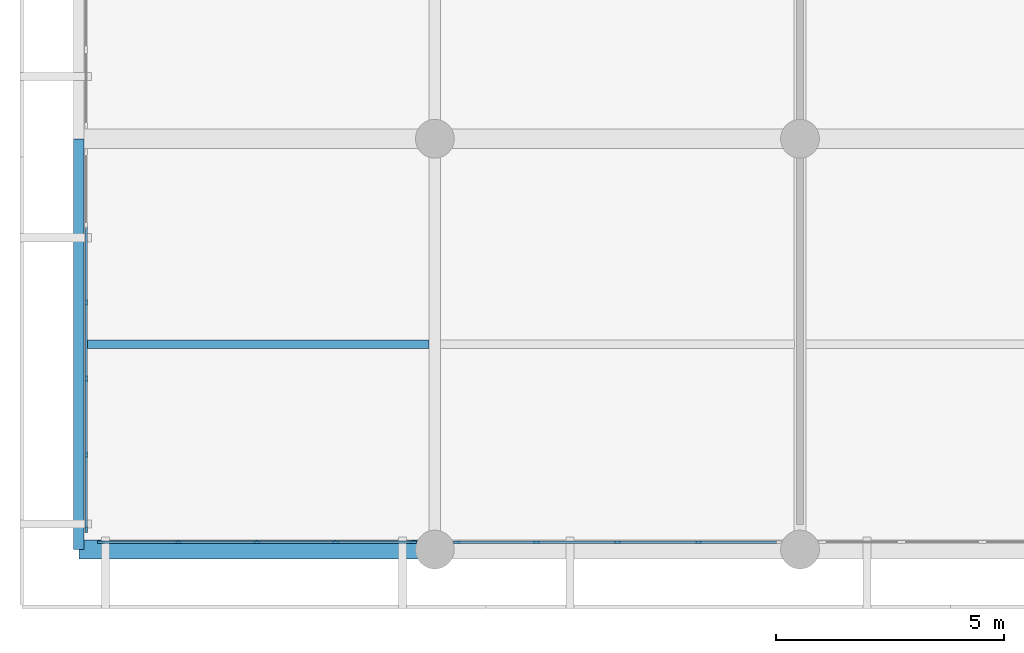
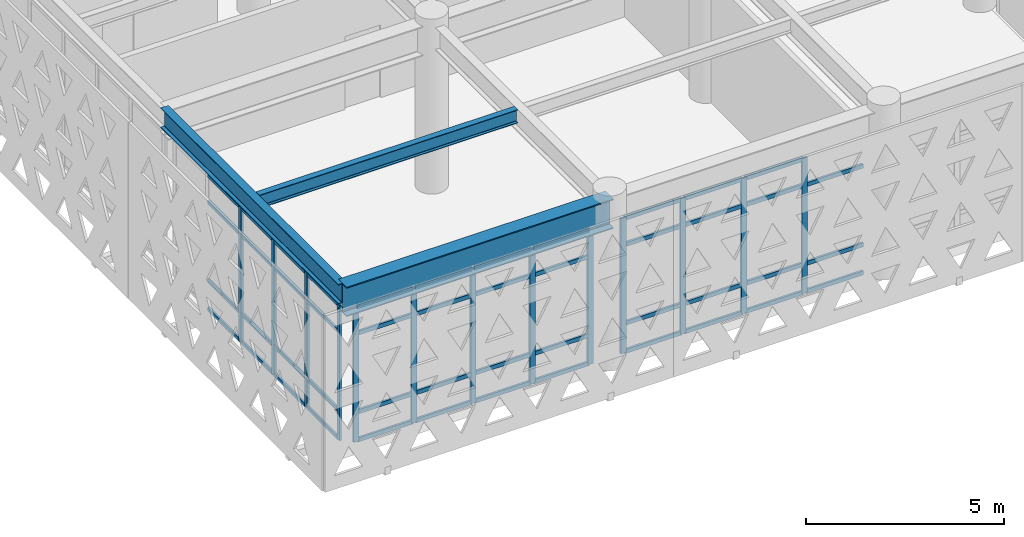
# One storey, part 9 of 84: 60 members, 3 beams, 3 elements without a shape of their own.
"""IFC4 building model written with IfcOpenShell, lengths in metres."""

from ifc_helpers import new_model, si_unit, direction, frame, origin, origin_2d, place, context, subcontext, project, spatial, rectangle, i_section, extrude, material, layer, layer_set, material_profile, profile_set, type_object, element, aggregate, save


model = new_model("IFC4")

# Units and contexts
model_context = context("Model", 3, precision=1e-05, world=origin(), true_north=direction((0.0, 1.0)))
body_context = subcontext(model_context, "Body", "Model", "MODEL_VIEW")
ifc_project = project(units=[si_unit("LENGTHUNIT", "METRE"), si_unit("AREAUNIT", "SQUARE_METRE"), si_unit("VOLUMEUNIT", "CUBIC_METRE"), si_unit("PLANEANGLEUNIT", "RADIAN"), si_unit("MASSUNIT", "GRAM", prefix="KILO")], contexts=[model_context])

# Site, building, storey
site_placement = place(None, origin())
site = spatial("IfcSite", under=ifc_project, at=site_placement, CompositionType="ELEMENT")
building_placement = place(site_placement, origin())
building = spatial("IfcBuilding", under=site, at=building_placement, Name="Tlacozan Convention Centre", CompositionType="ELEMENT")
storey_placement = place(building_placement, frame((0.0, 0.0, 6.0)))
storey = spatial("IfcBuildingStorey", under=building, at=storey_placement, Name="L01", CompositionType="ELEMENT", Elevation=6.0)

# Beam
ifc_material_1 = material(Name="Steel ASTM A992 Grade 50", Category="steel")
ifc_material_profile_1 = material_profile(ifc_material_1, i_section(OverallWidth=0.41796875, OverallDepth=0.912109375, WebThickness=0.019287109375, FlangeThickness=0.031982421875, FilletRadius=0.02001953125, at=origin_2d()), Name="IR 914x342.0")
ifc_profile_set_1 = profile_set([ifc_material_profile_1], Name="Steel ASTM A992 Grade 50")
beam_type_1 = type_object("IfcBeamType", Name="Cantilever Girder IR 914x342", PredefinedType="BEAM", material=ifc_profile_set_1)
beam_1_placement = place(storey_placement, frame((8.0, 0.0, 4.68408203125), z_axis=(-1.0, 0.0, 0.0), x_axis=(0.0, -1.0, 0.0)))
element("IfcBeam", 1, at=beam_1_placement, inside=storey, type_object=beam_type_1, Name="L01 Cantilever Girder IR 914x342 312", PredefinedType="BEAM", context=body_context, shape_type="SweptSolid", body=[
    extrude(i_section(OverallWidth=0.41796875, OverallDepth=0.912109375, WebThickness=0.019287109375, FlangeThickness=0.031982421875, FilletRadius=0.02001953125, at=origin_2d()), origin(), (0.0, 0.0, 1.0), 7.800048828125),
])

# Curtain wall, members
ifc_material_2 = material(Name="Dark Bronze Anodised Aluminium", Category="aluminium")
ifc_layer_1 = layer(ifc_material_2, 0.159912109375)
ifc_layer_set_1 = layer_set([ifc_layer_1], Name="Dark Bronze Anodised Aluminium")
curtain_wall_type_1 = type_object("IfcCurtainWallType", Name="Unitised Congress Gable End CW06", PredefinedType="NOTDEFINED", material=ifc_layer_set_1)
curtain_wall_1_placement = place(storey_placement, origin())
curtain_wall_1 = element("IfcCurtainWall", 2, at=curtain_wall_1_placement, inside=storey, type_object=curtain_wall_type_1, Name="L01 CW-06 Run 72", PredefinedType="NOTDEFINED")
ifc_material_profile_2 = material_profile(ifc_material_2, rectangle(XDim=0.06005859375, YDim=0.139892578125, at=origin_2d()), Name="ALU 60x140")
ifc_profile_set_2 = profile_set([ifc_material_profile_2], Name="Dark Bronze Anodised Aluminium")
member_type_1 = type_object("IfcMemberType", Name="Curtain Wall Light Mullion 60x140", PredefinedType="MULLION", material=ifc_profile_set_2)
member_1_placement = place(storey_placement, frame((0.360107421875, 0.43994140625, 0.0), z_axis=(0.0, 0.0, 1.0), x_axis=(-1.0, 0.0, 0.0)))
member_1 = element("IfcMember", 3, at=member_1_placement, type_object=member_type_1, Name="CW-06 mullion 1", PredefinedType="MULLION", context=body_context, shape_type="SweptSolid", body=[
    extrude(rectangle(XDim=0.06005859375, YDim=0.139892578125, at=origin_2d()), origin(), (0.0, 0.0, 1.0), 4.179931640625),
])
member_2_placement = place(storey_placement, frame((0.360107421875, 2.077880859375, 0.0), z_axis=(0.0, 0.0, 1.0), x_axis=(-1.0, 0.0, 0.0)))
member_2 = element("IfcMember", 4, at=member_2_placement, type_object=member_type_1, Name="CW-06 mullion 2", PredefinedType="MULLION", context=body_context, shape_type="SweptSolid", body=[
    extrude(rectangle(XDim=0.06005859375, YDim=0.139892578125, at=origin_2d()), origin(), (0.0, 0.0, 1.0), 4.179931640625),
])
member_3_placement = place(storey_placement, frame((0.360107421875, 3.74609375, 0.0), z_axis=(0.0, 0.0, 1.0), x_axis=(-1.0, 0.0, 0.0)))
member_3 = element("IfcMember", 5, at=member_3_placement, type_object=member_type_1, Name="CW-06 mullion 3", PredefinedType="MULLION", context=body_context, shape_type="SweptSolid", body=[
    extrude(rectangle(XDim=0.06005859375, YDim=0.139892578125, at=origin_2d()), origin(), (0.0, 0.0, 1.0), 4.179931640625),
])
member_4_placement = place(storey_placement, frame((0.360107421875, 5.4140625, 0.0), z_axis=(0.0, 0.0, 1.0), x_axis=(-1.0, 0.0, 0.0)))
member_4 = element("IfcMember", 6, at=member_4_placement, type_object=member_type_1, Name="CW-06 mullion 4", PredefinedType="MULLION", context=body_context, shape_type="SweptSolid", body=[
    extrude(rectangle(XDim=0.06005859375, YDim=0.139892578125, at=origin_2d()), origin(), (0.0, 0.0, 1.0), 4.179931640625),
])
ifc_material_profile_3 = material_profile(ifc_material_2, rectangle(XDim=0.06005859375, YDim=0.110107421875, at=origin_2d()), Name="ALU 60x110")
ifc_profile_set_3 = profile_set([ifc_material_profile_3], Name="Dark Bronze Anodised Aluminium")
member_type_2 = type_object("IfcMemberType", Name="Curtain Wall Light Transom 60x110", PredefinedType="USERDEFINED", material=ifc_profile_set_3)
member_5_placement = place(storey_placement, frame((0.360107421875, 0.469970703125, 0.030029296875), z_axis=(0.0, 1.0, 0.0), x_axis=(-1.0, 0.0, 0.0)))
member_5 = element("IfcMember", 7, at=member_5_placement, type_object=member_type_2, Name="CW-06 transom 1.1", ObjectType="TRANSOM", PredefinedType="USERDEFINED", context=body_context, shape_type="SweptSolid", body=[
    extrude(rectangle(XDim=0.06005859375, YDim=0.110107421875, at=origin_2d()), origin(), (0.0, 0.0, 1.0), 1.578125),
])
member_6_placement = place(storey_placement, frame((0.360107421875, 0.469970703125, 0.89990234375), z_axis=(0.0, 1.0, 0.0), x_axis=(-1.0, 0.0, 0.0)))
member_6 = element("IfcMember", 8, at=member_6_placement, type_object=member_type_2, Name="CW-06 transom 1.2", ObjectType="TRANSOM", PredefinedType="USERDEFINED", context=body_context, shape_type="SweptSolid", body=[
    extrude(rectangle(XDim=0.06005859375, YDim=0.110107421875, at=origin_2d()), origin(), (0.0, 0.0, 1.0), 1.578125),
])
member_7_placement = place(storey_placement, frame((0.360107421875, 0.469970703125, 3.330078125), z_axis=(0.0, 1.0, 0.0), x_axis=(-1.0, 0.0, 0.0)))
member_7 = element("IfcMember", 9, at=member_7_placement, type_object=member_type_2, Name="CW-06 transom 1.3", ObjectType="TRANSOM", PredefinedType="USERDEFINED", context=body_context, shape_type="SweptSolid", body=[
    extrude(rectangle(XDim=0.06005859375, YDim=0.110107421875, at=origin_2d()), origin(), (0.0, 0.0, 1.0), 1.578125),
])
member_8_placement = place(storey_placement, frame((0.360107421875, 0.469970703125, 4.14990234375), z_axis=(0.0, 1.0, 0.0), x_axis=(-1.0, 0.0, 0.0)))
member_8 = element("IfcMember", 10, at=member_8_placement, type_object=member_type_2, Name="CW-06 transom 1.4", ObjectType="TRANSOM", PredefinedType="USERDEFINED", context=body_context, shape_type="SweptSolid", body=[
    extrude(rectangle(XDim=0.06005859375, YDim=0.110107421875, at=origin_2d()), origin(), (0.0, 0.0, 1.0), 1.578125),
])
member_9_placement = place(storey_placement, frame((0.360107421875, 2.10791015625, 0.030029296875), z_axis=(0.0, 1.0, 0.0), x_axis=(-1.0, 0.0, 0.0)))
member_9 = element("IfcMember", 11, at=member_9_placement, type_object=member_type_2, Name="CW-06 transom 2.1", ObjectType="TRANSOM", PredefinedType="USERDEFINED", context=body_context, shape_type="SweptSolid", body=[
    extrude(rectangle(XDim=0.06005859375, YDim=0.110107421875, at=origin_2d()), origin(), (0.0, 0.0, 1.0), 1.608154296875),
])
member_10_placement = place(storey_placement, frame((0.360107421875, 2.10791015625, 0.89990234375), z_axis=(0.0, 1.0, 0.0), x_axis=(-1.0, 0.0, 0.0)))
member_10 = element("IfcMember", 12, at=member_10_placement, type_object=member_type_2, Name="CW-06 transom 2.2", ObjectType="TRANSOM", PredefinedType="USERDEFINED", context=body_context, shape_type="SweptSolid", body=[
    extrude(rectangle(XDim=0.06005859375, YDim=0.110107421875, at=origin_2d()), origin(), (0.0, 0.0, 1.0), 1.608154296875),
])
member_11_placement = place(storey_placement, frame((0.360107421875, 2.10791015625, 3.330078125), z_axis=(0.0, 1.0, 0.0), x_axis=(-1.0, 0.0, 0.0)))
member_11 = element("IfcMember", 13, at=member_11_placement, type_object=member_type_2, Name="CW-06 transom 2.3", ObjectType="TRANSOM", PredefinedType="USERDEFINED", context=body_context, shape_type="SweptSolid", body=[
    extrude(rectangle(XDim=0.06005859375, YDim=0.110107421875, at=origin_2d()), origin(), (0.0, 0.0, 1.0), 1.608154296875),
])
member_12_placement = place(storey_placement, frame((0.360107421875, 2.10791015625, 4.14990234375), z_axis=(0.0, 1.0, 0.0), x_axis=(-1.0, 0.0, 0.0)))
member_12 = element("IfcMember", 14, at=member_12_placement, type_object=member_type_2, Name="CW-06 transom 2.4", ObjectType="TRANSOM", PredefinedType="USERDEFINED", context=body_context, shape_type="SweptSolid", body=[
    extrude(rectangle(XDim=0.06005859375, YDim=0.110107421875, at=origin_2d()), origin(), (0.0, 0.0, 1.0), 1.608154296875),
])
member_13_placement = place(storey_placement, frame((0.360107421875, 3.77587890625, 0.030029296875), z_axis=(0.0, 1.0, 0.0), x_axis=(-1.0, 0.0, 0.0)))
member_13 = element("IfcMember", 15, at=member_13_placement, type_object=member_type_2, Name="CW-06 transom 3.1", ObjectType="TRANSOM", PredefinedType="USERDEFINED", context=body_context, shape_type="SweptSolid", body=[
    extrude(rectangle(XDim=0.06005859375, YDim=0.110107421875, at=origin_2d()), origin(), (0.0, 0.0, 1.0), 1.608154296875),
])
member_14_placement = place(storey_placement, frame((0.360107421875, 3.77587890625, 0.89990234375), z_axis=(0.0, 1.0, 0.0), x_axis=(-1.0, 0.0, 0.0)))
member_14 = element("IfcMember", 16, at=member_14_placement, type_object=member_type_2, Name="CW-06 transom 3.2", ObjectType="TRANSOM", PredefinedType="USERDEFINED", context=body_context, shape_type="SweptSolid", body=[
    extrude(rectangle(XDim=0.06005859375, YDim=0.110107421875, at=origin_2d()), origin(), (0.0, 0.0, 1.0), 1.608154296875),
])
member_15_placement = place(storey_placement, frame((0.360107421875, 3.77587890625, 3.330078125), z_axis=(0.0, 1.0, 0.0), x_axis=(-1.0, 0.0, 0.0)))
member_15 = element("IfcMember", 17, at=member_15_placement, type_object=member_type_2, Name="CW-06 transom 3.3", ObjectType="TRANSOM", PredefinedType="USERDEFINED", context=body_context, shape_type="SweptSolid", body=[
    extrude(rectangle(XDim=0.06005859375, YDim=0.110107421875, at=origin_2d()), origin(), (0.0, 0.0, 1.0), 1.608154296875),
])
member_16_placement = place(storey_placement, frame((0.360107421875, 3.77587890625, 4.14990234375), z_axis=(0.0, 1.0, 0.0), x_axis=(-1.0, 0.0, 0.0)))
member_16 = element("IfcMember", 18, at=member_16_placement, type_object=member_type_2, Name="CW-06 transom 3.4", ObjectType="TRANSOM", PredefinedType="USERDEFINED", context=body_context, shape_type="SweptSolid", body=[
    extrude(rectangle(XDim=0.06005859375, YDim=0.110107421875, at=origin_2d()), origin(), (0.0, 0.0, 1.0), 1.608154296875),
])
member_17_placement = place(storey_placement, frame((0.360107421875, 5.444091796875, 0.030029296875), z_axis=(0.0, 1.0, 0.0), x_axis=(-1.0, 0.0, 0.0)))
member_17 = element("IfcMember", 19, at=member_17_placement, type_object=member_type_2, Name="CW-06 transom 4.1", ObjectType="TRANSOM", PredefinedType="USERDEFINED", context=body_context, shape_type="SweptSolid", body=[
    extrude(rectangle(XDim=0.06005859375, YDim=0.110107421875, at=origin_2d()), origin(), (0.0, 0.0, 1.0), 1.60791015625),
])
member_18_placement = place(storey_placement, frame((0.360107421875, 5.444091796875, 0.89990234375), z_axis=(0.0, 1.0, 0.0), x_axis=(-1.0, 0.0, 0.0)))
member_18 = element("IfcMember", 20, at=member_18_placement, type_object=member_type_2, Name="CW-06 transom 4.2", ObjectType="TRANSOM", PredefinedType="USERDEFINED", context=body_context, shape_type="SweptSolid", body=[
    extrude(rectangle(XDim=0.06005859375, YDim=0.110107421875, at=origin_2d()), origin(), (0.0, 0.0, 1.0), 1.60791015625),
])
member_19_placement = place(storey_placement, frame((0.360107421875, 5.444091796875, 3.330078125), z_axis=(0.0, 1.0, 0.0), x_axis=(-1.0, 0.0, 0.0)))
member_19 = element("IfcMember", 21, at=member_19_placement, type_object=member_type_2, Name="CW-06 transom 4.3", ObjectType="TRANSOM", PredefinedType="USERDEFINED", context=body_context, shape_type="SweptSolid", body=[
    extrude(rectangle(XDim=0.06005859375, YDim=0.110107421875, at=origin_2d()), origin(), (0.0, 0.0, 1.0), 1.60791015625),
])
member_20_placement = place(storey_placement, frame((0.360107421875, 5.444091796875, 4.14990234375), z_axis=(0.0, 1.0, 0.0), x_axis=(-1.0, 0.0, 0.0)))
member_20 = element("IfcMember", 22, at=member_20_placement, type_object=member_type_2, Name="CW-06 transom 4.4", ObjectType="TRANSOM", PredefinedType="USERDEFINED", context=body_context, shape_type="SweptSolid", body=[
    extrude(rectangle(XDim=0.06005859375, YDim=0.110107421875, at=origin_2d()), origin(), (0.0, 0.0, 1.0), 1.60791015625),
])
aggregate(curtain_wall_1, [member_1, member_2, member_3, member_4, member_5, member_6, member_7, member_8, member_9, member_10, member_11, member_12, member_13, member_14, member_15, member_16, member_17, member_18, member_19, member_20])

ifc_layer_2 = layer(ifc_material_2, 0.159912109375)
ifc_layer_set_2 = layer_set([ifc_layer_2], Name="Dark Bronze Anodised Aluminium")
curtain_wall_type_2 = type_object("IfcCurtainWallType", Name="Unitised Congress L01 South CW02", PredefinedType="NOTDEFINED", material=ifc_layer_set_2)
curtain_wall_2_placement = place(storey_placement, origin())
curtain_wall_2 = element("IfcCurtainWall", 23, at=curtain_wall_2_placement, inside=storey, type_object=curtain_wall_type_2, Name="L01 CW-02 Run 55", PredefinedType="NOTDEFINED")
ifc_material_profile_4 = material_profile(ifc_material_2, rectangle(XDim=0.06494140625, YDim=0.159912109375, at=origin_2d()), Name="ALU 65x160")
ifc_profile_set_4 = profile_set([ifc_material_profile_4], Name="Dark Bronze Anodised Aluminium")
member_type_3 = type_object("IfcMemberType", Name="Curtain Wall Mullion 65x160", PredefinedType="MULLION", material=ifc_profile_set_4)
member_21_placement = place(storey_placement, frame((0.6826171875, 0.159912109375, 0.0), z_axis=(0.0, 0.0, 1.0), x_axis=(0.0, 1.0, 0.0)))
member_21 = element("IfcMember", 24, at=member_21_placement, type_object=member_type_3, Name="CW-02 mullion 1", PredefinedType="MULLION", context=body_context, shape_type="SweptSolid", body=[
    extrude(rectangle(XDim=0.06494140625, YDim=0.159912109375, at=origin_2d()), origin(), (0.0, 0.0, 1.0), 4.179931640625),
])
member_22_placement = place(storey_placement, frame((2.375, 0.159912109375, 0.0), z_axis=(0.0, 0.0, 1.0), x_axis=(0.0, 1.0, 0.0)))
member_22 = element("IfcMember", 25, at=member_22_placement, type_object=member_type_3, Name="CW-02 mullion 2", PredefinedType="MULLION", context=body_context, shape_type="SweptSolid", body=[
    extrude(rectangle(XDim=0.06494140625, YDim=0.159912109375, at=origin_2d()), origin(), (0.0, 0.0, 1.0), 4.179931640625),
])
member_23_placement = place(storey_placement, frame((4.10009765625, 0.159912109375, 0.0), z_axis=(0.0, 0.0, 1.0), x_axis=(0.0, 1.0, 0.0)))
member_23 = element("IfcMember", 26, at=member_23_placement, type_object=member_type_3, Name="CW-02 mullion 3", PredefinedType="MULLION", context=body_context, shape_type="SweptSolid", body=[
    extrude(rectangle(XDim=0.06494140625, YDim=0.159912109375, at=origin_2d()), origin(), (0.0, 0.0, 1.0), 4.179931640625),
])
member_24_placement = place(storey_placement, frame((5.824951171875, 0.159912109375, 0.0), z_axis=(0.0, 0.0, 1.0), x_axis=(0.0, 1.0, 0.0)))
member_24 = element("IfcMember", 27, at=member_24_placement, type_object=member_type_3, Name="CW-02 mullion 4", PredefinedType="MULLION", context=body_context, shape_type="SweptSolid", body=[
    extrude(rectangle(XDim=0.06494140625, YDim=0.159912109375, at=origin_2d()), origin(), (0.0, 0.0, 1.0), 4.179931640625),
])
member_25_placement = place(storey_placement, frame((7.517578125, 0.159912109375, 0.0), z_axis=(0.0, 0.0, 1.0), x_axis=(0.0, 1.0, 0.0)))
member_25 = element("IfcMember", 28, at=member_25_placement, type_object=member_type_3, Name="CW-02 mullion 5", PredefinedType="MULLION", context=body_context, shape_type="SweptSolid", body=[
    extrude(rectangle(XDim=0.06494140625, YDim=0.159912109375, at=origin_2d()), origin(), (0.0, 0.0, 1.0), 4.179931640625),
])

curtain_wall_3_placement = place(storey_placement, origin())
curtain_wall_3 = element("IfcCurtainWall", 29, at=curtain_wall_3_placement, inside=storey, type_object=curtain_wall_type_2, Name="L01 CW-02 Run 56", PredefinedType="NOTDEFINED")
member_26_placement = place(storey_placement, frame((8.482421875, 0.159912109375, 0.0), z_axis=(0.0, 0.0, 1.0), x_axis=(0.0, 1.0, 0.0)))
member_26 = element("IfcMember", 30, at=member_26_placement, type_object=member_type_3, Name="CW-02 mullion 1", PredefinedType="MULLION", context=body_context, shape_type="SweptSolid", body=[
    extrude(rectangle(XDim=0.06494140625, YDim=0.159912109375, at=origin_2d()), origin(), (0.0, 0.0, 1.0), 4.179931640625),
])
member_27_placement = place(storey_placement, frame((10.22509765625, 0.159912109375, 0.0), z_axis=(0.0, 0.0, 1.0), x_axis=(0.0, 1.0, 0.0)))
member_27 = element("IfcMember", 31, at=member_27_placement, type_object=member_type_3, Name="CW-02 mullion 2", PredefinedType="MULLION", context=body_context, shape_type="SweptSolid", body=[
    extrude(rectangle(XDim=0.06494140625, YDim=0.159912109375, at=origin_2d()), origin(), (0.0, 0.0, 1.0), 4.179931640625),
])
member_28_placement = place(storey_placement, frame((12.0, 0.159912109375, 0.0), z_axis=(0.0, 0.0, 1.0), x_axis=(0.0, 1.0, 0.0)))
member_28 = element("IfcMember", 32, at=member_28_placement, type_object=member_type_3, Name="CW-02 mullion 3", PredefinedType="MULLION", context=body_context, shape_type="SweptSolid", body=[
    extrude(rectangle(XDim=0.06494140625, YDim=0.159912109375, at=origin_2d()), origin(), (0.0, 0.0, 1.0), 4.179931640625),
])
member_29_placement = place(storey_placement, frame((13.77490234375, 0.159912109375, 0.0), z_axis=(0.0, 0.0, 1.0), x_axis=(0.0, 1.0, 0.0)))
member_29 = element("IfcMember", 33, at=member_29_placement, type_object=member_type_3, Name="CW-02 mullion 4", PredefinedType="MULLION", context=body_context, shape_type="SweptSolid", body=[
    extrude(rectangle(XDim=0.06494140625, YDim=0.159912109375, at=origin_2d()), origin(), (0.0, 0.0, 1.0), 4.179931640625),
])

# Member
ifc_material_profile_5 = material_profile(ifc_material_2, rectangle(XDim=0.06494140625, YDim=0.125, at=origin_2d()), Name="ALU 65x125")
ifc_profile_set_5 = profile_set([ifc_material_profile_5], Name="Dark Bronze Anodised Aluminium")
member_type_4 = type_object("IfcMemberType", Name="Curtain Wall Transom 65x125", PredefinedType="USERDEFINED", material=ifc_profile_set_5)
member_30_placement = place(storey_placement, frame((0.715087890625, 0.159912109375, 0.032470703125), z_axis=(1.0, 0.0, 0.0), x_axis=(0.0, 1.0, 0.0)))
member_30 = element("IfcMember", 34, at=member_30_placement, type_object=member_type_4, Name="CW-02 transom 1.1", ObjectType="TRANSOM", PredefinedType="USERDEFINED", context=body_context, shape_type="SweptSolid", body=[
    extrude(rectangle(XDim=0.06494140625, YDim=0.125, at=origin_2d()), origin(), (0.0, 0.0, 1.0), 1.62744140625),
])

member_31_placement = place(storey_placement, frame((0.715087890625, 0.159912109375, 0.89990234375), z_axis=(1.0, 0.0, 0.0), x_axis=(0.0, 1.0, 0.0)))
member_31 = element("IfcMember", 35, at=member_31_placement, type_object=member_type_4, Name="CW-02 transom 1.2", ObjectType="TRANSOM", PredefinedType="USERDEFINED", context=body_context, shape_type="SweptSolid", body=[
    extrude(rectangle(XDim=0.06494140625, YDim=0.125, at=origin_2d()), origin(), (0.0, 0.0, 1.0), 1.62744140625),
])

member_32_placement = place(storey_placement, frame((0.715087890625, 0.159912109375, 3.330078125), z_axis=(1.0, 0.0, 0.0), x_axis=(0.0, 1.0, 0.0)))
member_32 = element("IfcMember", 36, at=member_32_placement, type_object=member_type_4, Name="CW-02 transom 1.3", ObjectType="TRANSOM", PredefinedType="USERDEFINED", context=body_context, shape_type="SweptSolid", body=[
    extrude(rectangle(XDim=0.06494140625, YDim=0.125, at=origin_2d()), origin(), (0.0, 0.0, 1.0), 1.62744140625),
])

member_33_placement = place(storey_placement, frame((0.715087890625, 0.159912109375, 4.1474609375), z_axis=(1.0, 0.0, 0.0), x_axis=(0.0, 1.0, 0.0)))
member_33 = element("IfcMember", 37, at=member_33_placement, type_object=member_type_4, Name="CW-02 transom 1.4", ObjectType="TRANSOM", PredefinedType="USERDEFINED", context=body_context, shape_type="SweptSolid", body=[
    extrude(rectangle(XDim=0.06494140625, YDim=0.125, at=origin_2d()), origin(), (0.0, 0.0, 1.0), 1.62744140625),
])

member_34_placement = place(storey_placement, frame((2.407470703125, 0.159912109375, 0.032470703125), z_axis=(1.0, 0.0, 0.0), x_axis=(0.0, 1.0, 0.0)))
member_34 = element("IfcMember", 38, at=member_34_placement, type_object=member_type_4, Name="CW-02 transom 2.1", ObjectType="TRANSOM", PredefinedType="USERDEFINED", context=body_context, shape_type="SweptSolid", body=[
    extrude(rectangle(XDim=0.06494140625, YDim=0.125, at=origin_2d()), origin(), (0.0, 0.0, 1.0), 1.659912109375),
])

member_35_placement = place(storey_placement, frame((2.407470703125, 0.159912109375, 0.89990234375), z_axis=(1.0, 0.0, 0.0), x_axis=(0.0, 1.0, 0.0)))
member_35 = element("IfcMember", 39, at=member_35_placement, type_object=member_type_4, Name="CW-02 transom 2.2", ObjectType="TRANSOM", PredefinedType="USERDEFINED", context=body_context, shape_type="SweptSolid", body=[
    extrude(rectangle(XDim=0.06494140625, YDim=0.125, at=origin_2d()), origin(), (0.0, 0.0, 1.0), 1.659912109375),
])

member_36_placement = place(storey_placement, frame((2.407470703125, 0.159912109375, 3.330078125), z_axis=(1.0, 0.0, 0.0), x_axis=(0.0, 1.0, 0.0)))
member_36 = element("IfcMember", 40, at=member_36_placement, type_object=member_type_4, Name="CW-02 transom 2.3", ObjectType="TRANSOM", PredefinedType="USERDEFINED", context=body_context, shape_type="SweptSolid", body=[
    extrude(rectangle(XDim=0.06494140625, YDim=0.125, at=origin_2d()), origin(), (0.0, 0.0, 1.0), 1.659912109375),
])

member_37_placement = place(storey_placement, frame((2.407470703125, 0.159912109375, 4.1474609375), z_axis=(1.0, 0.0, 0.0), x_axis=(0.0, 1.0, 0.0)))
member_37 = element("IfcMember", 41, at=member_37_placement, type_object=member_type_4, Name="CW-02 transom 2.4", ObjectType="TRANSOM", PredefinedType="USERDEFINED", context=body_context, shape_type="SweptSolid", body=[
    extrude(rectangle(XDim=0.06494140625, YDim=0.125, at=origin_2d()), origin(), (0.0, 0.0, 1.0), 1.659912109375),
])

member_38_placement = place(storey_placement, frame((4.132568359375, 0.159912109375, 0.032470703125), z_axis=(1.0, 0.0, 0.0), x_axis=(0.0, 1.0, 0.0)))
member_38 = element("IfcMember", 42, at=member_38_placement, type_object=member_type_4, Name="CW-02 transom 3.1", ObjectType="TRANSOM", PredefinedType="USERDEFINED", context=body_context, shape_type="SweptSolid", body=[
    extrude(rectangle(XDim=0.06494140625, YDim=0.125, at=origin_2d()), origin(), (0.0, 0.0, 1.0), 1.659912109375),
])

member_39_placement = place(storey_placement, frame((4.132568359375, 0.159912109375, 0.89990234375), z_axis=(1.0, 0.0, 0.0), x_axis=(0.0, 1.0, 0.0)))
member_39 = element("IfcMember", 43, at=member_39_placement, type_object=member_type_4, Name="CW-02 transom 3.2", ObjectType="TRANSOM", PredefinedType="USERDEFINED", context=body_context, shape_type="SweptSolid", body=[
    extrude(rectangle(XDim=0.06494140625, YDim=0.125, at=origin_2d()), origin(), (0.0, 0.0, 1.0), 1.659912109375),
])

member_40_placement = place(storey_placement, frame((4.132568359375, 0.159912109375, 3.330078125), z_axis=(1.0, 0.0, 0.0), x_axis=(0.0, 1.0, 0.0)))
member_40 = element("IfcMember", 44, at=member_40_placement, type_object=member_type_4, Name="CW-02 transom 3.3", ObjectType="TRANSOM", PredefinedType="USERDEFINED", context=body_context, shape_type="SweptSolid", body=[
    extrude(rectangle(XDim=0.06494140625, YDim=0.125, at=origin_2d()), origin(), (0.0, 0.0, 1.0), 1.659912109375),
])

member_41_placement = place(storey_placement, frame((4.132568359375, 0.159912109375, 4.1474609375), z_axis=(1.0, 0.0, 0.0), x_axis=(0.0, 1.0, 0.0)))
member_41 = element("IfcMember", 45, at=member_41_placement, type_object=member_type_4, Name="CW-02 transom 3.4", ObjectType="TRANSOM", PredefinedType="USERDEFINED", context=body_context, shape_type="SweptSolid", body=[
    extrude(rectangle(XDim=0.06494140625, YDim=0.125, at=origin_2d()), origin(), (0.0, 0.0, 1.0), 1.659912109375),
])

member_42_placement = place(storey_placement, frame((5.857421875, 0.159912109375, 0.032470703125), z_axis=(1.0, 0.0, 0.0), x_axis=(0.0, 1.0, 0.0)))
member_42 = element("IfcMember", 46, at=member_42_placement, type_object=member_type_4, Name="CW-02 transom 4.1", ObjectType="TRANSOM", PredefinedType="USERDEFINED", context=body_context, shape_type="SweptSolid", body=[
    extrude(rectangle(XDim=0.06494140625, YDim=0.125, at=origin_2d()), origin(), (0.0, 0.0, 1.0), 1.627685546875),
])

member_43_placement = place(storey_placement, frame((5.857421875, 0.159912109375, 0.89990234375), z_axis=(1.0, 0.0, 0.0), x_axis=(0.0, 1.0, 0.0)))
member_43 = element("IfcMember", 47, at=member_43_placement, type_object=member_type_4, Name="CW-02 transom 4.2", ObjectType="TRANSOM", PredefinedType="USERDEFINED", context=body_context, shape_type="SweptSolid", body=[
    extrude(rectangle(XDim=0.06494140625, YDim=0.125, at=origin_2d()), origin(), (0.0, 0.0, 1.0), 1.627685546875),
])

member_44_placement = place(storey_placement, frame((5.857421875, 0.159912109375, 3.330078125), z_axis=(1.0, 0.0, 0.0), x_axis=(0.0, 1.0, 0.0)))
member_44 = element("IfcMember", 48, at=member_44_placement, type_object=member_type_4, Name="CW-02 transom 4.3", ObjectType="TRANSOM", PredefinedType="USERDEFINED", context=body_context, shape_type="SweptSolid", body=[
    extrude(rectangle(XDim=0.06494140625, YDim=0.125, at=origin_2d()), origin(), (0.0, 0.0, 1.0), 1.627685546875),
])

member_45_placement = place(storey_placement, frame((5.857421875, 0.159912109375, 4.1474609375), z_axis=(1.0, 0.0, 0.0), x_axis=(0.0, 1.0, 0.0)))
member_45 = element("IfcMember", 49, at=member_45_placement, type_object=member_type_4, Name="CW-02 transom 4.4", ObjectType="TRANSOM", PredefinedType="USERDEFINED", context=body_context, shape_type="SweptSolid", body=[
    extrude(rectangle(XDim=0.06494140625, YDim=0.125, at=origin_2d()), origin(), (0.0, 0.0, 1.0), 1.627685546875),
])

aggregate(curtain_wall_2, [member_21, member_22, member_23, member_24, member_25, member_30, member_31, member_32, member_33, member_34, member_35, member_36, member_37, member_38, member_39, member_40, member_41, member_42, member_43, member_44, member_45])

member_46_placement = place(storey_placement, frame((8.514892578125, 0.159912109375, 0.032470703125), z_axis=(1.0, 0.0, 0.0), x_axis=(0.0, 1.0, 0.0)))
member_46 = element("IfcMember", 50, at=member_46_placement, type_object=member_type_4, Name="CW-02 transom 1.1", ObjectType="TRANSOM", PredefinedType="USERDEFINED", context=body_context, shape_type="SweptSolid", body=[
    extrude(rectangle(XDim=0.06494140625, YDim=0.125, at=origin_2d()), origin(), (0.0, 0.0, 1.0), 1.677490234375),
])

member_47_placement = place(storey_placement, frame((8.514892578125, 0.159912109375, 0.89990234375), z_axis=(1.0, 0.0, 0.0), x_axis=(0.0, 1.0, 0.0)))
member_47 = element("IfcMember", 51, at=member_47_placement, type_object=member_type_4, Name="CW-02 transom 1.2", ObjectType="TRANSOM", PredefinedType="USERDEFINED", context=body_context, shape_type="SweptSolid", body=[
    extrude(rectangle(XDim=0.06494140625, YDim=0.125, at=origin_2d()), origin(), (0.0, 0.0, 1.0), 1.677490234375),
])

member_48_placement = place(storey_placement, frame((8.514892578125, 0.159912109375, 3.330078125), z_axis=(1.0, 0.0, 0.0), x_axis=(0.0, 1.0, 0.0)))
member_48 = element("IfcMember", 52, at=member_48_placement, type_object=member_type_4, Name="CW-02 transom 1.3", ObjectType="TRANSOM", PredefinedType="USERDEFINED", context=body_context, shape_type="SweptSolid", body=[
    extrude(rectangle(XDim=0.06494140625, YDim=0.125, at=origin_2d()), origin(), (0.0, 0.0, 1.0), 1.677490234375),
])

member_49_placement = place(storey_placement, frame((8.514892578125, 0.159912109375, 4.1474609375), z_axis=(1.0, 0.0, 0.0), x_axis=(0.0, 1.0, 0.0)))
member_49 = element("IfcMember", 53, at=member_49_placement, type_object=member_type_4, Name="CW-02 transom 1.4", ObjectType="TRANSOM", PredefinedType="USERDEFINED", context=body_context, shape_type="SweptSolid", body=[
    extrude(rectangle(XDim=0.06494140625, YDim=0.125, at=origin_2d()), origin(), (0.0, 0.0, 1.0), 1.677490234375),
])

member_50_placement = place(storey_placement, frame((10.257568359375, 0.159912109375, 0.032470703125), z_axis=(1.0, 0.0, 0.0), x_axis=(0.0, 1.0, 0.0)))
member_50 = element("IfcMember", 54, at=member_50_placement, type_object=member_type_4, Name="CW-02 transom 2.1", ObjectType="TRANSOM", PredefinedType="USERDEFINED", context=body_context, shape_type="SweptSolid", body=[
    extrude(rectangle(XDim=0.06494140625, YDim=0.125, at=origin_2d()), origin(), (0.0, 0.0, 1.0), 1.7099609375),
])

member_51_placement = place(storey_placement, frame((10.257568359375, 0.159912109375, 0.89990234375), z_axis=(1.0, 0.0, 0.0), x_axis=(0.0, 1.0, 0.0)))
member_51 = element("IfcMember", 55, at=member_51_placement, type_object=member_type_4, Name="CW-02 transom 2.2", ObjectType="TRANSOM", PredefinedType="USERDEFINED", context=body_context, shape_type="SweptSolid", body=[
    extrude(rectangle(XDim=0.06494140625, YDim=0.125, at=origin_2d()), origin(), (0.0, 0.0, 1.0), 1.7099609375),
])

member_52_placement = place(storey_placement, frame((10.257568359375, 0.159912109375, 3.330078125), z_axis=(1.0, 0.0, 0.0), x_axis=(0.0, 1.0, 0.0)))
member_52 = element("IfcMember", 56, at=member_52_placement, type_object=member_type_4, Name="CW-02 transom 2.3", ObjectType="TRANSOM", PredefinedType="USERDEFINED", context=body_context, shape_type="SweptSolid", body=[
    extrude(rectangle(XDim=0.06494140625, YDim=0.125, at=origin_2d()), origin(), (0.0, 0.0, 1.0), 1.7099609375),
])

member_53_placement = place(storey_placement, frame((10.257568359375, 0.159912109375, 4.1474609375), z_axis=(1.0, 0.0, 0.0), x_axis=(0.0, 1.0, 0.0)))
member_53 = element("IfcMember", 57, at=member_53_placement, type_object=member_type_4, Name="CW-02 transom 2.4", ObjectType="TRANSOM", PredefinedType="USERDEFINED", context=body_context, shape_type="SweptSolid", body=[
    extrude(rectangle(XDim=0.06494140625, YDim=0.125, at=origin_2d()), origin(), (0.0, 0.0, 1.0), 1.7099609375),
])

member_54_placement = place(storey_placement, frame((12.032470703125, 0.159912109375, 0.032470703125), z_axis=(1.0, 0.0, 0.0), x_axis=(0.0, 1.0, 0.0)))
member_54 = element("IfcMember", 58, at=member_54_placement, type_object=member_type_4, Name="CW-02 transom 3.1", ObjectType="TRANSOM", PredefinedType="USERDEFINED", context=body_context, shape_type="SweptSolid", body=[
    extrude(rectangle(XDim=0.06494140625, YDim=0.125, at=origin_2d()), origin(), (0.0, 0.0, 1.0), 1.7099609375),
])

member_55_placement = place(storey_placement, frame((12.032470703125, 0.159912109375, 0.89990234375), z_axis=(1.0, 0.0, 0.0), x_axis=(0.0, 1.0, 0.0)))
member_55 = element("IfcMember", 59, at=member_55_placement, type_object=member_type_4, Name="CW-02 transom 3.2", ObjectType="TRANSOM", PredefinedType="USERDEFINED", context=body_context, shape_type="SweptSolid", body=[
    extrude(rectangle(XDim=0.06494140625, YDim=0.125, at=origin_2d()), origin(), (0.0, 0.0, 1.0), 1.7099609375),
])

member_56_placement = place(storey_placement, frame((12.032470703125, 0.159912109375, 3.330078125), z_axis=(1.0, 0.0, 0.0), x_axis=(0.0, 1.0, 0.0)))
member_56 = element("IfcMember", 60, at=member_56_placement, type_object=member_type_4, Name="CW-02 transom 3.3", ObjectType="TRANSOM", PredefinedType="USERDEFINED", context=body_context, shape_type="SweptSolid", body=[
    extrude(rectangle(XDim=0.06494140625, YDim=0.125, at=origin_2d()), origin(), (0.0, 0.0, 1.0), 1.7099609375),
])

member_57_placement = place(storey_placement, frame((12.032470703125, 0.159912109375, 4.1474609375), z_axis=(1.0, 0.0, 0.0), x_axis=(0.0, 1.0, 0.0)))
member_57 = element("IfcMember", 61, at=member_57_placement, type_object=member_type_4, Name="CW-02 transom 3.4", ObjectType="TRANSOM", PredefinedType="USERDEFINED", context=body_context, shape_type="SweptSolid", body=[
    extrude(rectangle(XDim=0.06494140625, YDim=0.125, at=origin_2d()), origin(), (0.0, 0.0, 1.0), 1.7099609375),
])

member_58_placement = place(storey_placement, frame((13.8076171875, 0.159912109375, 0.032470703125), z_axis=(1.0, 0.0, 0.0), x_axis=(0.0, 1.0, 0.0)))
member_58 = element("IfcMember", 62, at=member_58_placement, type_object=member_type_4, Name="CW-02 transom 4.1", ObjectType="TRANSOM", PredefinedType="USERDEFINED", context=body_context, shape_type="SweptSolid", body=[
    extrude(rectangle(XDim=0.06494140625, YDim=0.125, at=origin_2d()), origin(), (0.0, 0.0, 1.0), 1.677490234375),
])

member_59_placement = place(storey_placement, frame((13.8076171875, 0.159912109375, 0.89990234375), z_axis=(1.0, 0.0, 0.0), x_axis=(0.0, 1.0, 0.0)))
member_59 = element("IfcMember", 63, at=member_59_placement, type_object=member_type_4, Name="CW-02 transom 4.2", ObjectType="TRANSOM", PredefinedType="USERDEFINED", context=body_context, shape_type="SweptSolid", body=[
    extrude(rectangle(XDim=0.06494140625, YDim=0.125, at=origin_2d()), origin(), (0.0, 0.0, 1.0), 1.677490234375),
])

member_60_placement = place(storey_placement, frame((13.8076171875, 0.159912109375, 3.330078125), z_axis=(1.0, 0.0, 0.0), x_axis=(0.0, 1.0, 0.0)))
member_60 = element("IfcMember", 64, at=member_60_placement, type_object=member_type_4, Name="CW-02 transom 4.3", ObjectType="TRANSOM", PredefinedType="USERDEFINED", context=body_context, shape_type="SweptSolid", body=[
    extrude(rectangle(XDim=0.06494140625, YDim=0.125, at=origin_2d()), origin(), (0.0, 0.0, 1.0), 1.677490234375),
])

aggregate(curtain_wall_3, [member_26, member_27, member_28, member_29, member_46, member_47, member_48, member_49, member_50, member_51, member_52, member_53, member_54, member_55, member_56, member_57, member_58, member_59, member_60])

# Beams
ifc_material_profile_6 = material_profile(ifc_material_1, i_section(OverallWidth=0.22900390625, OverallDepth=0.612060546875, WebThickness=0.011962890625, FlangeThickness=0.01953125, FilletRadius=0.012939453125, at=origin_2d()), Name="IR 610x125.0")
ifc_profile_set_6 = profile_set([ifc_material_profile_6], Name="Steel ASTM A992 Grade 50")
beam_type_2 = type_object("IfcBeamType", Name="Perimeter Spandrel IR 610x125", PredefinedType="SPANDREL", material=ifc_profile_set_6)
beam_2_placement = place(storey_placement, frame((0.199951171875, 0.0, 4.833984375), z_axis=(0.0, 1.0, 0.0), x_axis=(-1.0, 0.0, 0.0)))
element("IfcBeam", 65, at=beam_2_placement, inside=storey, type_object=beam_type_2, Name="L01 Perimeter Spandrel IR 610x125 305", PredefinedType="SPANDREL", context=body_context, shape_type="SweptSolid", body=[
    extrude(i_section(OverallWidth=0.22900390625, OverallDepth=0.612060546875, WebThickness=0.011962890625, FlangeThickness=0.01953125, FilletRadius=0.012939453125, at=origin_2d()), origin(), (0.0, 0.0, 1.0), 9.0),
])
ifc_material_profile_7 = material_profile(ifc_material_1, i_section(OverallWidth=0.179931640625, OverallDepth=0.4130859375, WebThickness=0.009765625, FlangeThickness=0.01611328125, FilletRadius=0.010986328125, at=origin_2d()), Name="IR 406x74.4")
ifc_profile_set_7 = profile_set([ifc_material_profile_7], Name="Steel ASTM A992 Grade 50")
beam_type_3 = type_object("IfcBeamType", Name="Secondary Joist IR 406x74.4", PredefinedType="JOIST", material=ifc_profile_set_7)
beam_3_placement = place(storey_placement, frame((0.325927734375, 4.5, 4.93359375), z_axis=(1.0, 0.0, 0.0), x_axis=(0.0, 1.0, 0.0)))
element("IfcBeam", 66, at=beam_3_placement, inside=storey, type_object=beam_type_3, Name="L01 Secondary Joist IR 406x74.4 363", PredefinedType="JOIST", context=body_context, shape_type="SweptSolid", body=[
    extrude(i_section(OverallWidth=0.179931640625, OverallDepth=0.4130859375, WebThickness=0.009765625, FlangeThickness=0.01611328125, FilletRadius=0.010986328125, at=origin_2d()), origin(), (0.0, 0.0, 1.0), 7.548095703125),
])

save(model, "model.ifc")
